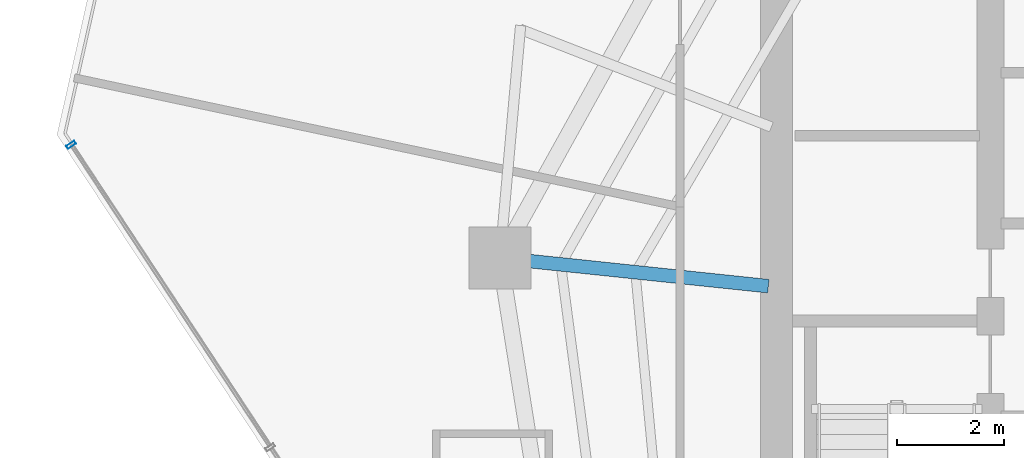
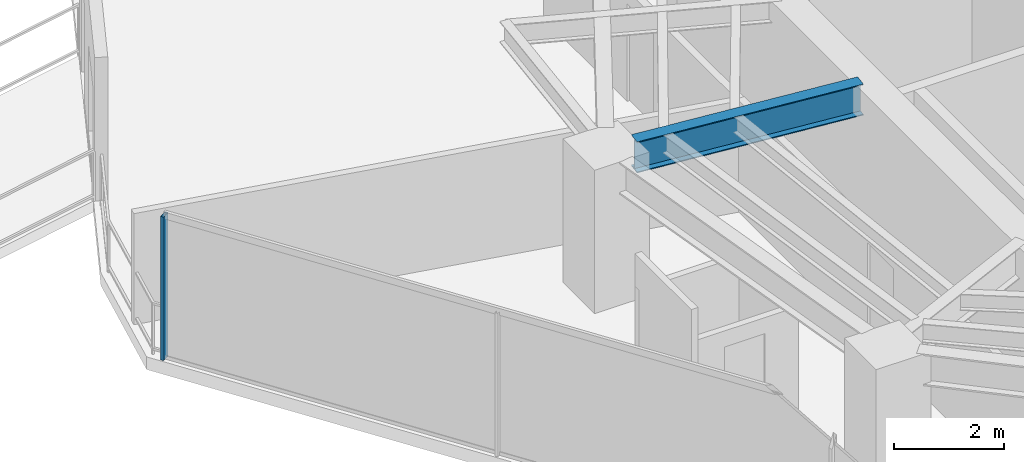
# One storey, part 8 of 30: 1 beam, 1 member, 1 element without a shape of its own.
"""IFC4 building model written with IfcOpenShell, lengths in metres."""

from ifc_helpers import new_model, si_unit, direction, frame, origin, origin_2d, place, context, subcontext, project, spatial, hollow_rectangle, i_section, extrude, material, layer, layer_set, material_profile, profile_set, type_object, element, aggregate, save


model = new_model("IFC4")

# Units and contexts
model_context = context("Model", 3, precision=1e-05, world=origin(), true_north=direction((0.0, 1.0)))
body_context = subcontext(model_context, "Body", "Model", "MODEL_VIEW")
ifc_project = project(units=[si_unit("LENGTHUNIT", "METRE"), si_unit("AREAUNIT", "SQUARE_METRE"), si_unit("VOLUMEUNIT", "CUBIC_METRE"), si_unit("PLANEANGLEUNIT", "RADIAN"), si_unit("MASSUNIT", "GRAM", prefix="KILO")], contexts=[model_context])

# Site, building, storey
site_placement = place(None, origin())
site = spatial("IfcSite", under=ifc_project, at=site_placement, CompositionType="ELEMENT")
building_placement = place(site_placement, origin())
building = spatial("IfcBuilding", under=site, at=building_placement, Name="Qarnah Convention Tower", CompositionType="ELEMENT")
storey_placement = place(building_placement, frame((0.0, 0.0, 79.800048828125)))
storey = spatial("IfcBuildingStorey", under=building, at=storey_placement, Name="L20", CompositionType="ELEMENT", Elevation=79.800048828125)

# Beam
ifc_material_1 = material(Name="Structural steel S355JR", Category="steel")
ifc_material_profile_1 = material_profile(ifc_material_1, i_section(OverallWidth=0.25390625, OverallDepth=0.68798828125, WebThickness=0.012939453125, FlangeThickness=0.02099609375, at=origin_2d()), Name="W690X152")
ifc_profile_set_1 = profile_set([ifc_material_profile_1], Name="Structural steel S355JR")
beam_type = type_object("IfcBeamType", Name="BM-RAD-W690", PredefinedType="BEAM", material=ifc_profile_set_1)
beam_placement = place(storey_placement, frame((26.65087890625, 27.509033203125, 2.825927734375), z_axis=(-0.994523622606, 0.104512028393, 0.0), x_axis=(-0.104512028393, -0.994523622606, 0.0)))
element("IfcBeam", 1, at=beam_placement, inside=storey, type_object=beam_type, Name="L20 beam BM-L20-RAD-05", PredefinedType="BEAM", context=body_context, shape_type="SweptSolid", body=[
    extrude(i_section(OverallWidth=0.25390625, OverallDepth=0.68798828125, WebThickness=0.012939453125, FlangeThickness=0.02099609375, at=origin_2d()), origin(), (0.0, 0.0, 1.0), 4.487548828125),
])

# Curtain wall, member
ifc_material_2 = material(Name="Tempered Low-E dark glass", Category="glass")
ifc_layer = layer(ifc_material_2, 0.169921875)
ifc_layer_set = layer_set([ifc_layer], Name="Tempered Low-E dark glass")
curtain_wall_type = type_object("IfcCurtainWallType", Name="CWS-02", PredefinedType="NOTDEFINED", material=ifc_layer_set)
curtain_wall_placement = place(storey_placement, origin())
curtain_wall = element("IfcCurtainWall", 2, at=curtain_wall_placement, inside=storey, type_object=curtain_wall_type, Name="L20 unitised curtain wall CW-L20-F3", PredefinedType="NOTDEFINED")
ifc_material_3 = material(Name="Black anodised aluminium", Category="aluminium")
ifc_material_profile_2 = material_profile(ifc_material_3, hollow_rectangle(XDim=0.06494140625, YDim=0.179931640625, WallThickness=0.00390625, at=origin_2d()), Name="MUL-65X180")
ifc_profile_set_2 = profile_set([ifc_material_profile_2], Name="Black anodised aluminium")
member_type = type_object("IfcMemberType", Name="MUL-T2", PredefinedType="MULLION", material=ifc_profile_set_2)
member_placement = place(storey_placement, frame((13.6220703125, 30.152099609375, 0.0), z_axis=(0.0, 0.0, 1.0), x_axis=(-0.549904609076, 0.835227466572, 0.0)))
member = element("IfcMember", 3, at=member_placement, type_object=member_type, Name="CW-L20-F3 mullion 6", PredefinedType="MULLION", context=body_context, shape_type="SweptSolid", body=[
    extrude(hollow_rectangle(XDim=0.06494140625, YDim=0.179931640625, WallThickness=0.00390625, at=origin_2d()), origin(), (0.0, 0.0, 1.0), 3.169921875),
])
aggregate(curtain_wall, [member])

save(model, "model.ifc")
